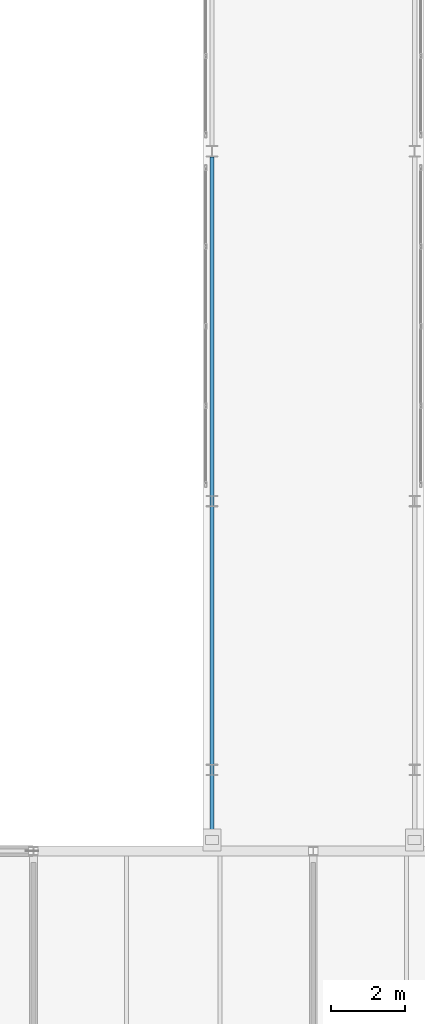
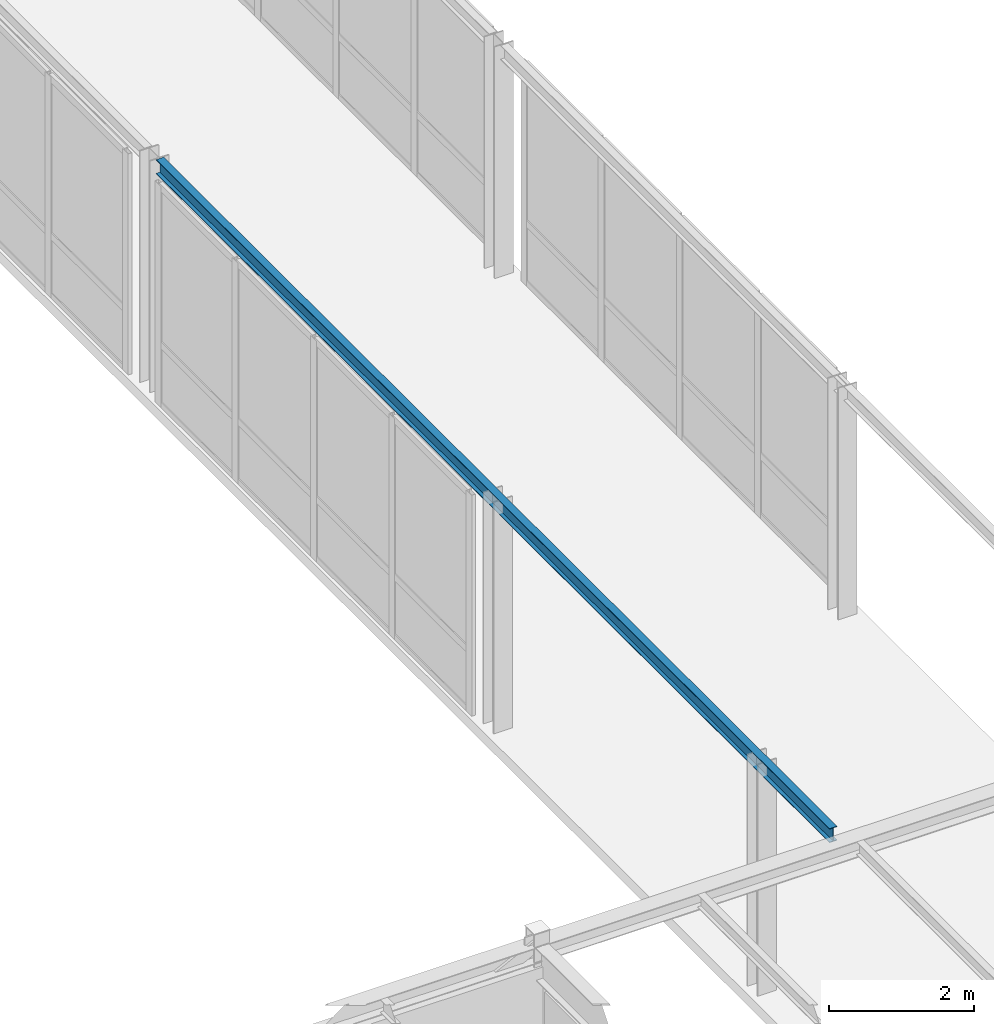
# One storey, part 38 of 189: 1 beam.
"""IFC4 building model written with IfcOpenShell, lengths in metres."""

from ifc_helpers import new_model, si_unit, direction, frame, origin, origin_2d, place, context, subcontext, project, spatial, i_section, extrude, material, material_profile, profile_set, type_object, element, save


model = new_model("IFC4")

# Units and contexts
model_context = context("Model", 3, precision=1e-05, world=origin(), true_north=direction((0.0, 1.0)))
body_context = subcontext(model_context, "Body", "Model", "MODEL_VIEW")
ifc_project = project(units=[si_unit("LENGTHUNIT", "METRE"), si_unit("AREAUNIT", "SQUARE_METRE"), si_unit("VOLUMEUNIT", "CUBIC_METRE"), si_unit("PLANEANGLEUNIT", "RADIAN"), si_unit("MASSUNIT", "GRAM", prefix="KILO")], contexts=[model_context])

# Site, building, storey
site_placement = place(None, origin())
site = spatial("IfcSite", under=ifc_project, at=site_placement, CompositionType="ELEMENT")
building_placement = place(site_placement, origin())
building = spatial("IfcBuilding", under=site, at=building_placement, Name="Montecoro Central Library", CompositionType="ELEMENT")
storey_placement = place(building_placement, frame((0.0, 0.0, 9.179931640625)))
storey = spatial("IfcBuildingStorey", under=building, at=storey_placement, Name="L02", CompositionType="ELEMENT", Elevation=9.179931640625)

# Beam
ifc_material = material(Name="Steel S355", Category="steel")
ifc_material_profile = material_profile(ifc_material, i_section(OverallWidth=0.1201171875, OverallDepth=0.239990234375, WebThickness=0.006103515625, FlangeThickness=0.009765625, at=origin_2d()), Name="IPE 240")
ifc_profile_set = profile_set([ifc_material_profile], Name="Steel S355")
beam_type = type_object("IfcBeamType", Name="BM-SP-IPE240", PredefinedType="SPANDREL", material=ifc_profile_set)
beam_placement = place(storey_placement, frame((25.050048828125, 35.6201171875, 3.7880859375), z_axis=(0.0, 1.0, 0.0), x_axis=(-1.0, 0.0, 0.0)))
element("IfcBeam", 1, at=beam_placement, inside=storey, type_object=beam_type, Name="BR-W-ROOF-BM-W1", PredefinedType="SPANDREL", context=body_context, shape_type="SweptSolid", body=[
    extrude(i_section(OverallWidth=0.1201171875, OverallDepth=0.239990234375, WebThickness=0.006103515625, FlangeThickness=0.009765625, at=origin_2d()), origin(), (0.0, 0.0, 1.0), 18.619873046875),
])

save(model, "model.ifc")
